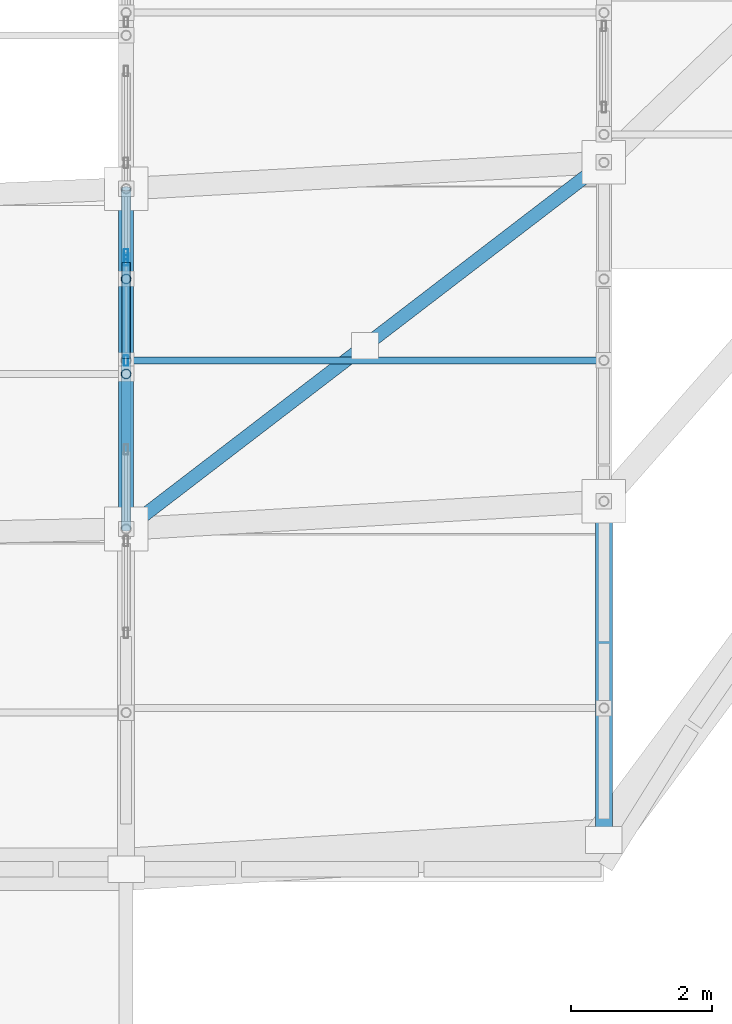
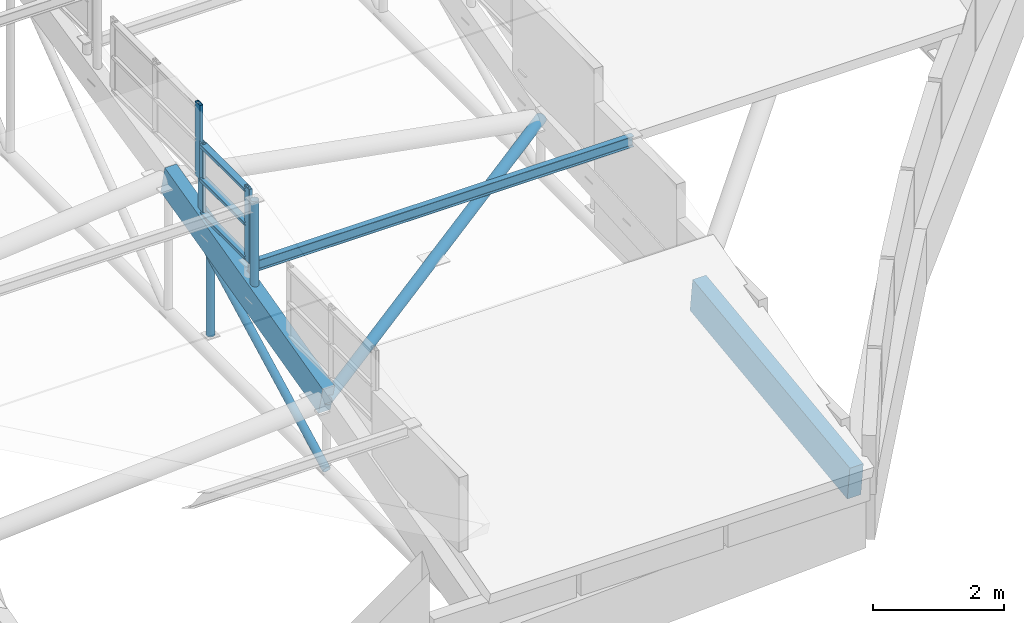
# One storey, part 72 of 188: 13 members, 2 elements without a shape of their own.
"""IFC4 building model written with IfcOpenShell, lengths in metres."""

from ifc_helpers import new_model, si_unit, direction, frame, origin, origin_2d, place, context, subcontext, project, spatial, rectangle, hollow_rectangle, hollow_circle, i_section, extrude, material, layer, layer_set, material_profile, profile_set, type_object, element, aggregate, save


model = new_model("IFC4")

# Units and contexts
model_context = context("Model", 3, precision=1e-05, world=origin(), true_north=direction((0.0, 1.0)))
body_context = subcontext(model_context, "Body", "Model", "MODEL_VIEW")
ifc_project = project(units=[si_unit("LENGTHUNIT", "METRE"), si_unit("AREAUNIT", "SQUARE_METRE"), si_unit("VOLUMEUNIT", "CUBIC_METRE"), si_unit("PLANEANGLEUNIT", "RADIAN"), si_unit("MASSUNIT", "GRAM", prefix="KILO")], contexts=[model_context])

# Site, building, storey
site_placement = place(None, origin())
site = spatial("IfcSite", under=ifc_project, at=site_placement, CompositionType="ELEMENT")
building_placement = place(site_placement, origin())
building = spatial("IfcBuilding", under=site, at=building_placement, Name="Kisaragi Civic Commons", CompositionType="ELEMENT")
storey_placement = place(building_placement, frame((0.0, 0.0, 9.60009765625)))
storey = spatial("IfcBuildingStorey", under=building, at=storey_placement, Name="L02", CompositionType="ELEMENT", Elevation=9.60009765625)

# Member
ifc_material_1 = material(Name="Steel SN400 (SN400B)", Category="steel")
ifc_material_profile_1 = material_profile(ifc_material_1, hollow_circle(Radius=0.095458984375, WallThickness=0.006103515625, at=origin_2d()), Name="CHS-190.7x6.0", Category="steel")
ifc_profile_set_1 = profile_set([ifc_material_profile_1], Name="Steel SN400 (SN400B)")
member_type_1 = type_object("IfcMemberType", Name="BR-06", PredefinedType="BRACE", material=ifc_profile_set_1)
member_1_placement = place(storey_placement, frame((20.39990234375, 84.041748046875, 0.924560546875), z_axis=(0.793006478508, 0.608314236161, -0.033083457007), x_axis=(-0.608647414255, 0.793440813874, 0.0)))
element("IfcMember", 1, at=member_1_placement, inside=storey, type_object=member_type_1, Name="V2 roof wind brace 4", PredefinedType="BRACE", context=body_context, shape_type="SweptSolid", body=[
    extrude(hollow_circle(Radius=0.095458984375, WallThickness=0.006103515625, at=origin_2d()), origin(), (0.0, 0.0, 1.0), 8.574951171875),
])

# Curtain wall, members
ifc_material_2 = material(Name="Thermally broken anodized aluminium and low-E double glazing", Category="aluminium")
ifc_layer = layer(ifc_material_2, 0.14990234375, Name="Thermally broken anodized aluminium and low-E double glazing", Category="aluminium")
ifc_layer_set = layer_set([ifc_layer], Name="Thermally broken anodized aluminium and low-E double glazing")
curtain_wall_type = type_object("IfcCurtainWallType", Name="CW-03", PredefinedType="NOTDEFINED", material=ifc_layer_set)
curtain_wall_1_placement = place(storey_placement, origin())
curtain_wall_1 = element("IfcCurtainWall", 2, at=curtain_wall_1_placement, inside=storey, type_object=curtain_wall_type, Name="L02 curtain wall CW-03 CW-CL-V2-194", PredefinedType="NOTDEFINED")
ifc_material_profile_2 = material_profile(ifc_material_2, hollow_rectangle(XDim=0.06005859375, YDim=0.14990234375, WallThickness=0.00390625, InnerFilletRadius=0.00390625, OuterFilletRadius=0.008056640625, at=origin_2d()), Name="CWM-60x150x4", Category="aluminium")
ifc_profile_set_2 = profile_set([ifc_material_profile_2], Name="Thermally broken anodized aluminium and low-E double glazing")
member_type_2 = type_object("IfcMemberType", Name="CWM-01", PredefinedType="MULLION", material=ifc_profile_set_2)
member_2_placement = place(storey_placement, frame((20.39990234375, 86.438232421875, 2.060791015625), z_axis=(0.0, 0.0, 1.0), x_axis=(-1.0, 0.0, 0.0)))
member_2 = element("IfcMember", 3, at=member_2_placement, type_object=member_type_2, Name="CW-03 mullion 1", PredefinedType="MULLION", context=body_context, shape_type="SweptSolid", body=[
    extrude(hollow_rectangle(XDim=0.06005859375, YDim=0.14990234375, WallThickness=0.00390625, InnerFilletRadius=0.00390625, OuterFilletRadius=0.008056640625, at=origin_2d()), origin(), (0.0, 0.0, 1.0), 1.392333984375),
])
member_3_placement = place(storey_placement, frame((20.39990234375, 87.865478515625, 2.060791015625), z_axis=(0.0, 0.0, 1.0), x_axis=(-1.0, 0.0, 0.0)))
member_3 = element("IfcMember", 4, at=member_3_placement, type_object=member_type_2, Name="CW-03 mullion 2", PredefinedType="MULLION", context=body_context, shape_type="SweptSolid", body=[
    extrude(hollow_rectangle(XDim=0.06005859375, YDim=0.14990234375, WallThickness=0.00390625, InnerFilletRadius=0.00390625, OuterFilletRadius=0.008056640625, at=origin_2d()), origin(), (0.0, 0.0, 1.0), 1.392333984375),
])

# Curtain wall, member
curtain_wall_2_placement = place(storey_placement, origin())
curtain_wall_2 = element("IfcCurtainWall", 5, at=curtain_wall_2_placement, inside=storey, type_object=curtain_wall_type, Name="L02 curtain wall CW-03 CW-CL-V2-195", PredefinedType="NOTDEFINED")
member_4_placement = place(storey_placement, frame((20.39990234375, 87.949462890625, 2.72265625), z_axis=(0.0, 0.0, 1.0), x_axis=(-1.0, 0.0, 0.0)))
member_4 = element("IfcMember", 6, at=member_4_placement, type_object=member_type_2, Name="CW-03 mullion 1", PredefinedType="MULLION", context=body_context, shape_type="SweptSolid", body=[
    extrude(hollow_rectangle(XDim=0.06005859375, YDim=0.14990234375, WallThickness=0.00390625, InnerFilletRadius=0.00390625, OuterFilletRadius=0.008056640625, at=origin_2d()), origin(), (0.0, 0.0, 1.0), 1.38525390625),
])
aggregate(curtain_wall_2, [member_4])

# Member
ifc_material_profile_3 = material_profile(ifc_material_2, hollow_rectangle(XDim=0.1201171875, YDim=0.06005859375, WallThickness=0.00390625, InnerFilletRadius=0.00390625, OuterFilletRadius=0.008056640625, at=origin_2d()), Name="CWT-60x120x4", Category="aluminium")
ifc_profile_set_3 = profile_set([ifc_material_profile_3], Name="Thermally broken anodized aluminium and low-E double glazing")
member_type_3 = type_object("IfcMemberType", Name="CWT-01", PredefinedType="USERDEFINED", material=ifc_profile_set_3)
member_5_placement = place(storey_placement, frame((20.39990234375, 86.46826171875, 2.120849609375), z_axis=(0.0, 1.0, 0.0), x_axis=(-1.0, 0.0, 0.0)))
member_5 = element("IfcMember", 7, at=member_5_placement, type_object=member_type_3, Name="CW-03 transom 1.1", ObjectType="TRANSOM", PredefinedType="USERDEFINED", context=body_context, shape_type="SweptSolid", body=[
    extrude(hollow_rectangle(XDim=0.1201171875, YDim=0.06005859375, WallThickness=0.00390625, InnerFilletRadius=0.00390625, OuterFilletRadius=0.008056640625, at=origin_2d()), origin(), (0.0, 0.0, 1.0), 1.3671875),
])

member_6_placement = place(storey_placement, frame((20.39990234375, 86.46826171875, 2.757080078125), z_axis=(0.0, 1.0, 0.0), x_axis=(-1.0, 0.0, 0.0)))
member_6 = element("IfcMember", 8, at=member_6_placement, type_object=member_type_3, Name="CW-03 transom 1.2", ObjectType="TRANSOM", PredefinedType="USERDEFINED", context=body_context, shape_type="SweptSolid", body=[
    extrude(hollow_rectangle(XDim=0.1201171875, YDim=0.06005859375, WallThickness=0.00390625, InnerFilletRadius=0.00390625, OuterFilletRadius=0.008056640625, at=origin_2d()), origin(), (0.0, 0.0, 1.0), 1.3671875),
])

member_7_placement = place(storey_placement, frame((20.39990234375, 86.46826171875, 3.39306640625), z_axis=(0.0, 1.0, 0.0), x_axis=(-1.0, 0.0, 0.0)))
member_7 = element("IfcMember", 9, at=member_7_placement, type_object=member_type_3, Name="CW-03 transom 1.3", ObjectType="TRANSOM", PredefinedType="USERDEFINED", context=body_context, shape_type="SweptSolid", body=[
    extrude(hollow_rectangle(XDim=0.1201171875, YDim=0.06005859375, WallThickness=0.00390625, InnerFilletRadius=0.00390625, OuterFilletRadius=0.008056640625, at=origin_2d()), origin(), (0.0, 0.0, 1.0), 1.3671875),
])

aggregate(curtain_wall_1, [member_2, member_3, member_5, member_6, member_7])

# Members
ifc_material_3 = material(Name="Glulam E120-F330", Category="wood")
ifc_material_profile_4 = material_profile(ifc_material_3, rectangle(XDim=0.239990234375, YDim=0.6298828125, at=origin_2d()), Name="GL-240x630", Category="wood")
ifc_profile_set_4 = profile_set([ifc_material_profile_4], Name="Glulam E120-F330")
member_type_4 = type_object("IfcMemberType", Name="GR-03", PredefinedType="RAFTER", material=ifc_profile_set_4)
member_8_placement = place(storey_placement, frame((27.199951171875, 79.614501953125, -0.30322265625), z_axis=(0.0, 0.992158399514, 0.124986840405), x_axis=(-1.0, 0.0, 0.0)))
element("IfcMember", 10, at=member_8_placement, inside=storey, type_object=member_type_4, Name="V2 glulam arch rib GR-03 33", PredefinedType="RAFTER", context=body_context, shape_type="SweptSolid", body=[
    extrude(rectangle(XDim=0.239990234375, YDim=0.6298828125, at=origin_2d()), origin(), (0.0, 0.0, 1.0), 4.85986328125),
])
ifc_material_profile_5 = material_profile(ifc_material_3, rectangle(XDim=0.2099609375, YDim=0.5400390625, at=origin_2d()), Name="GL-210x540", Category="wood")
ifc_profile_set_5 = profile_set([ifc_material_profile_5], Name="Glulam E120-F330")
member_type_5 = type_object("IfcMemberType", Name="GR-04", PredefinedType="RAFTER", material=ifc_profile_set_5)
member_9_placement = place(storey_placement, frame((20.39990234375, 84.041748046875, 0.924560546875), z_axis=(0.0, 0.970004241042, 0.24308799304), x_axis=(-1.0, 0.0, 0.0)))
element("IfcMember", 11, at=member_9_placement, inside=storey, type_object=member_type_5, Name="V2 glulam arch rib GR-04 26", PredefinedType="RAFTER", context=body_context, shape_type="SweptSolid", body=[
    extrude(rectangle(XDim=0.2099609375, YDim=0.5400390625, at=origin_2d()), origin(), (0.0, 0.0, 1.0), 4.991455078125),
])
ifc_material_profile_6 = material_profile(ifc_material_1, i_section(OverallWidth=0.10009765625, OverallDepth=0.199951171875, WebThickness=0.005615234375, FlangeThickness=0.008056640625, FilletRadius=0.008056640625, at=origin_2d()), Name="H-200x100x5.5x8", Category="steel")
ifc_profile_set_6 = profile_set([ifc_material_profile_6], Name="Steel SN400 (SN400B)")
member_type_6 = type_object("IfcMemberType", Name="PR-02", PredefinedType="PURLIN", material=ifc_profile_set_6)
member_10_placement = place(storey_placement, frame((20.39990234375, 86.44189453125, 1.9482421875), z_axis=(1.0, 0.0, 0.0), x_axis=(0.0, 1.0, 0.0)))
element("IfcMember", 12, at=member_10_placement, inside=storey, type_object=member_type_6, Name="V2 wave vault steel purlin 26", PredefinedType="PURLIN", context=body_context, shape_type="SweptSolid", body=[
    extrude(i_section(OverallWidth=0.10009765625, OverallDepth=0.199951171875, WebThickness=0.005615234375, FlangeThickness=0.008056640625, FilletRadius=0.008056640625, at=origin_2d()), origin(), (0.0, 0.0, 1.0), 6.800048828125),
])
ifc_material_4 = material(Name="Steel SN490 (SN490B)", Category="steel")
ifc_material_profile_7 = material_profile(ifc_material_4, hollow_circle(Radius=0.06982421875, WallThickness=0.006103515625, at=origin_2d()), Name="CHS-139.8x6.0", Category="steel")
ifc_profile_set_7 = profile_set([ifc_material_profile_7], Name="Steel SN490 (SN490B)")
member_type_7 = type_object("IfcMemberType", Name="ST-H1", PredefinedType="STRUT", material=ifc_profile_set_7)
member_11_placement = place(storey_placement, frame((20.39990234375, 84.041748046875, -0.385009765625), z_axis=(0.0, 0.886825519559, 0.46210442311), x_axis=(-1.0, 0.0, 0.0)))
element("IfcMember", 13, at=member_11_placement, inside=storey, type_object=member_type_7, Name="V2 tied arch truss diagonal web strut 52", PredefinedType="STRUT", context=body_context, shape_type="SweptSolid", body=[
    extrude(hollow_circle(Radius=0.06982421875, WallThickness=0.006103515625, at=origin_2d()), origin(), (0.0, 0.0, 1.0), 5.459716796875),
])
member_12_placement = place(storey_placement, frame((20.39990234375, 87.60009765625, -0.02001953125), z_axis=(0.0, 0.0, 1.0), x_axis=(1.0, 0.0, 0.0)))
element("IfcMember", 14, at=member_12_placement, inside=storey, type_object=member_type_7, Name="V2 interior column arch support post (20.4,87.6)", PredefinedType="STRUT", context=body_context, shape_type="SweptSolid", body=[
    extrude(hollow_circle(Radius=0.06982421875, WallThickness=0.006103515625, at=origin_2d()), origin(), (0.0, 0.0, 1.0), 1.83642578125),
])
member_13_placement = place(storey_placement, frame((20.39990234375, 86.248291015625, 1.4775390625), z_axis=(0.0, 0.0, 1.0), x_axis=(1.0, 0.0, 0.0)))
element("IfcMember", 15, at=member_13_placement, inside=storey, type_object=member_type_7, Name="V2 clerestory monitor horizontal tie strut 3.3.2", PredefinedType="STRUT", context=body_context, shape_type="SweptSolid", body=[
    extrude(hollow_circle(Radius=0.06982421875, WallThickness=0.006103515625, at=origin_2d()), origin(), (0.0, 0.0, 1.0), 1.854736328125),
])

save(model, "model.ifc")
